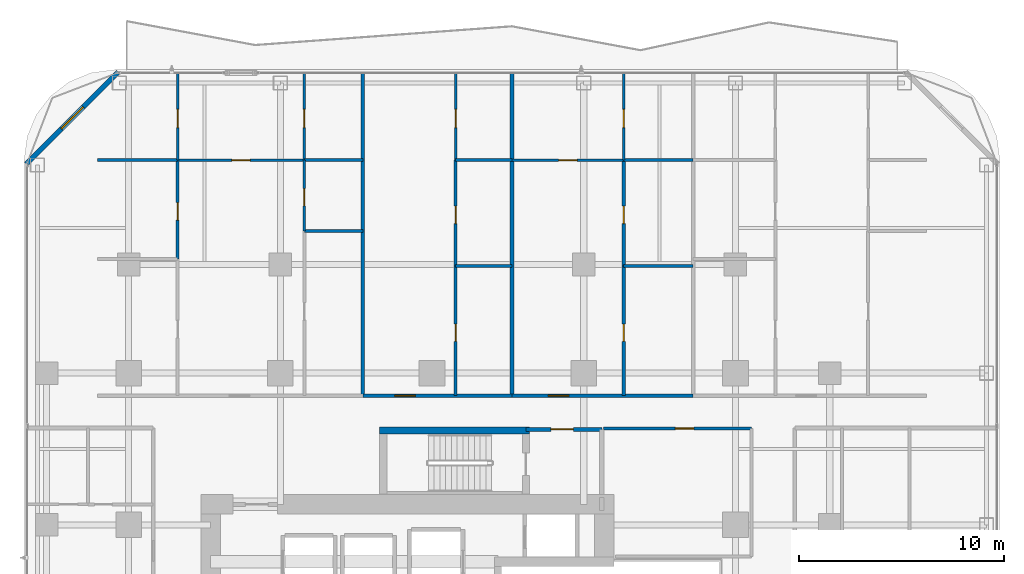
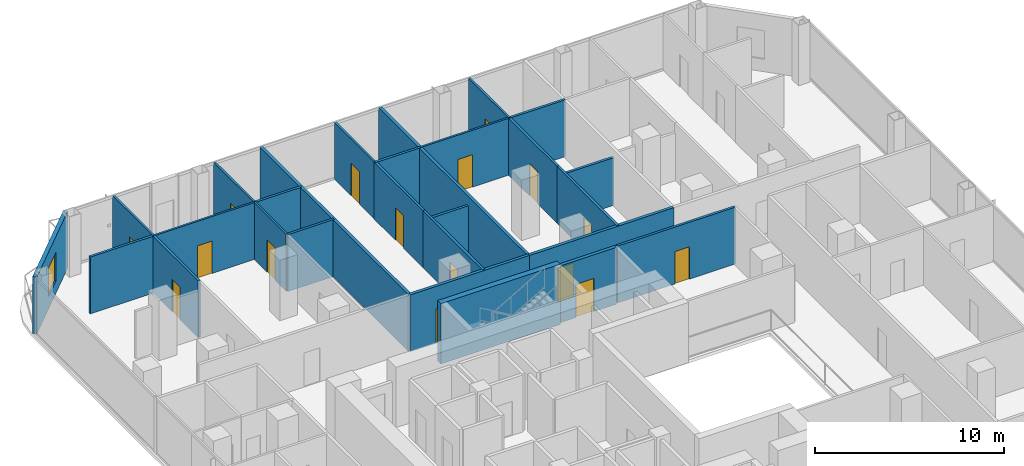
# One storey, part 22 of 30: 27 walls, 16 doors, 1 window, 17 openings.
"""IFC4 building model written with IfcOpenShell, lengths in metres."""

from ifc_helpers import new_model, si_unit, direction, frame, frame_2d, origin, place, context, subcontext, project, spatial, rectangle, extrude, material, layer, layer_set, type_object, element, fill, save


model = new_model("IFC4")

# Units and contexts
model_context = context("Model", 3, precision=1e-05, world=origin(), true_north=direction((0.0, 1.0)))
body_context = subcontext(model_context, "Body", "Model", "MODEL_VIEW")
ifc_project = project(units=[si_unit("LENGTHUNIT", "METRE"), si_unit("AREAUNIT", "SQUARE_METRE"), si_unit("VOLUMEUNIT", "CUBIC_METRE"), si_unit("PLANEANGLEUNIT", "RADIAN"), si_unit("MASSUNIT", "GRAM", prefix="KILO")], contexts=[model_context])

# Site, building, storey
site_placement = place(None, origin())
site = spatial("IfcSite", under=ifc_project, at=site_placement, CompositionType="ELEMENT")
building_placement = place(site_placement, origin())
building = spatial("IfcBuilding", under=site, at=building_placement, Name="Khorvyn Point Tower", CompositionType="ELEMENT")
storey_placement = place(building_placement, frame((0.0, 0.0, 117.300048828125)))
storey = spatial("IfcBuildingStorey", under=building, at=storey_placement, Name="L29", CompositionType="ELEMENT", Elevation=117.300048828125)

# Wall, opening, door
ifc_material_1 = material(Name="Double acoustic gypsum on twin steel stud", Category="steel")
ifc_layer_1 = layer(ifc_material_1, 0.179931640625)
ifc_layer_set_1 = layer_set([ifc_layer_1], Name="Acoustic Double-Stud Apartment Demising Wall 180")
wall_type_1 = type_object("IfcWallType", Name="Acoustic Double-Stud Apartment Demising Wall 180", PredefinedType="PARTITIONING", material=ifc_layer_set_1)
wall_1_placement = place(storey_placement, frame((-3.37890625, 13.699951171875, 0.0), z_axis=(0.0, 0.0, 1.0), x_axis=(1.0, 0.0, 0.0)))
wall_1 = element("IfcWall", 1, at=wall_1_placement, inside=storey, type_object=wall_type_1, Name="Wall", PredefinedType="PARTITIONING", context=body_context, shape_type="SweptSolid", body=[
    extrude(rectangle(XDim=7.27880859375, YDim=0.179931640625, at=frame_2d((3.639404296875, 0.0))), origin(), (0.0, 0.0, 1.0), 3.679931640625),
])
opening_1_placement = place(wall_1_placement, frame((1.56201171875, 0.0, 0.0)))
opening_1 = element("IfcOpeningElement", 2, at=opening_1_placement, cuts=wall_1, Name="Opening ID-AP60", PredefinedType="OPENING", context=body_context, shape_type="SweptSolid", body=[
    extrude(rectangle(XDim=1.0, YDim=2.199951171875, at=frame_2d((0.5, 1.10009765625))), frame((0.0, 0.099853515625, 0.0), z_axis=(0.0, -1.0, 0.0), x_axis=(1.0, 0.0, 0.0)), (0.0, 0.0, 1.0), 0.199951171875),
])
ifc_material_2 = material(Name="Engineered hardwood fire-rated leaf", Category="wood")
door_type_1 = type_object("IfcDoorType", Name="Acoustic Solid-Core Timber Apartment Entrance Door 1000x2200", OperationType="NOTDEFINED", PredefinedType="DOOR", material=ifc_material_2)
door_1_placement = place(opening_1_placement, origin())
door_1 = element("IfcDoor", 3, at=door_1_placement, inside=storey, type_object=door_type_1, Name="Door", OperationType="SINGLE_SWING_LEFT", OverallHeight=2.199951171875, OverallWidth=1.0, PredefinedType="DOOR", context=body_context, shape_type="SweptSolid", body=[
    extrude(rectangle(XDim=1.0, YDim=2.199951171875, at=frame_2d((0.5, 1.10009765625))), frame((0.0, 0.02490234375, 0.0), z_axis=(0.0, -1.0, 0.0), x_axis=(1.0, 0.0, 0.0)), (0.0, 0.0, 1.0), 0.050048828125),
])
fill(opening_1, door_1)

wall_2_placement = place(storey_placement, frame((3.89990234375, 13.699951171875, 0.0), z_axis=(0.0, 0.0, 1.0), x_axis=(1.0, 0.0, 0.0)))
wall_2 = element("IfcWall", 4, at=wall_2_placement, inside=storey, type_object=wall_type_1, Name="Wall", PredefinedType="PARTITIONING", context=body_context, shape_type="SweptSolid", body=[
    extrude(rectangle(XDim=8.836181640625, YDim=0.179931640625, at=frame_2d((4.41796875, 0.0))), origin(), (0.0, 0.0, 1.0), 3.679931640625),
])
opening_2_placement = place(wall_2_placement, frame((1.7705078125, 0.0, 0.0)))
opening_2 = element("IfcOpeningElement", 5, at=opening_2_placement, cuts=wall_2, Name="Opening ID-AP60", PredefinedType="OPENING", context=body_context, shape_type="SweptSolid", body=[
    extrude(rectangle(XDim=1.0, YDim=2.199951171875, at=frame_2d((0.5, 1.10009765625))), frame((0.0, 0.099853515625, 0.0), z_axis=(0.0, -1.0, 0.0), x_axis=(1.0, 0.0, 0.0)), (0.0, 0.0, 1.0), 0.199951171875),
])
door_2_placement = place(opening_2_placement, origin())
door_2 = element("IfcDoor", 6, at=door_2_placement, inside=storey, type_object=door_type_1, Name="Door", OperationType="SINGLE_SWING_LEFT", OverallHeight=2.199951171875, OverallWidth=1.0, PredefinedType="DOOR", context=body_context, shape_type="SweptSolid", body=[
    extrude(rectangle(XDim=1.0, YDim=2.199951171875, at=frame_2d((0.5, 1.10009765625))), frame((0.0, 0.02490234375, 0.0), z_axis=(0.0, -1.0, 0.0), x_axis=(1.0, 0.0, 0.0)), (0.0, 0.0, 1.0), 0.050048828125),
])
fill(opening_2, door_2)

# Walls
for number, where, z_axis, x_axis, name in (
    (7, (-3.37890625, 13.699951171875, 0.0), (0.0, 0.0, 1.0), (0.0, 1.0, 0.0), "Wall"),
    (8, (3.89990234375, 13.699951171875, 0.0), (0.0, 0.0, 1.0), (0.0, 1.0, 0.0), "Wall"),
):
    element("IfcWall", number, at=place(storey_placement, frame(where, z_axis=z_axis, x_axis=x_axis)), inside=storey, type_object=wall_type_1, Name=name, PredefinedType="PARTITIONING", context=body_context, shape_type="SweptSolid", body=[
        extrude(rectangle(XDim=15.72998046875, YDim=0.179931640625, at=frame_2d((7.864990234375, 0.0))), origin(), (0.0, 0.0, 1.0), 3.679931640625),
    ])

# Wall, opening, window
ifc_material_3 = material(Name="Pale anodised aluminium rainscreen on steel stud", Category="steel")
ifc_layer_2 = layer(ifc_material_3, 0.239990234375)
ifc_layer_set_2 = layer_set([ifc_layer_2], Name="Anodised Aluminium Insulated Corner Spandrel Wall 240")
wall_type_2 = type_object("IfcWallType", Name="Anodised Aluminium Insulated Corner Spandrel Wall 240", PredefinedType="SOLIDWALL", material=ifc_layer_set_2)
wall_3_placement = place(storey_placement, frame((-19.79248046875, 25.007568359375, 0.0), z_axis=(0.0, 0.0, 1.0), x_axis=(0.707106781187, 0.707106781187, 0.0)))
wall_3 = element("IfcWall", 9, at=wall_3_placement, inside=storey, type_object=wall_type_2, Name="L29 Rounded Corner Wall NW", PredefinedType="SOLIDWALL", context=body_context, shape_type="SweptSolid", body=[
    extrude(rectangle(XDim=6.342529296875, YDim=0.239990234375, at=frame_2d((3.17138671875, 0.0))), origin(), (0.0, 0.0, 1.0), 3.679931640625),
])
opening_3_placement = place(wall_3_placement, frame((2.42138671875, 0.0, 0.800048828125)))
opening_3 = element("IfcOpeningElement", 10, at=opening_3_placement, cuts=wall_3, Name="Opening WN-1518", PredefinedType="OPENING", context=body_context, shape_type="SweptSolid", body=[
    extrude(rectangle(XDim=1.5, YDim=1.85009765625, at=frame_2d((0.75, 0.925048828125))), frame((0.0, 0.1298828125, 0.0), z_axis=(0.0, -1.0, 0.0), x_axis=(1.0, 0.0, 0.0)), (0.0, 0.0, 1.0), 0.260009765625),
])
ifc_material_4 = material(Name="Anodised aluminium 6063-T6 and laminated Low-E glass", Category="aluminium")
window_type = type_object("IfcWindowType", Name="Anodised Aluminium Rounded-Corner Panoramic Window 1500x1850", PartitioningType="SINGLE_PANEL", PredefinedType="WINDOW", material=ifc_material_4)
window_placement = place(opening_3_placement, origin())
window = element("IfcWindow", 11, at=window_placement, inside=storey, type_object=window_type, Name="L29 Corner Panoramic Window NW", OverallHeight=1.85009765625, OverallWidth=1.5, PartitioningType="SINGLE_PANEL", PredefinedType="WINDOW", context=body_context, shape_type="SweptSolid", body=[
    extrude(rectangle(XDim=1.5, YDim=1.85009765625, at=frame_2d((0.75, 0.925048828125))), frame((0.0, 0.030029296875, 0.0), z_axis=(0.0, -1.0, 0.0), x_axis=(1.0, 0.0, 0.0)), (0.0, 0.0, 1.0), 0.06005859375),
])
fill(opening_3, window)

# Wall, opening, door
ifc_material_5 = material(Name="Concrete C40/50", Category="concrete")
ifc_layer_3 = layer(ifc_material_5, 0.199951171875)
ifc_layer_set_3 = layer_set([ifc_layer_3], Name="Concrete C40/50 Fire-Lobby Compartment Wall 200")
wall_type_3 = type_object("IfcWallType", Name="Concrete C40/50 Fire-Lobby Compartment Wall 200", PredefinedType="SOLIDWALL", material=ifc_layer_set_3)
wall_4_placement = place(storey_placement, frame((4.580078125, 12.06005859375, 0.0), z_axis=(0.0, 0.0, 1.0), x_axis=(1.0, 0.0, 0.0)))
wall_4 = element("IfcWall", 12, at=wall_4_placement, inside=storey, type_object=wall_type_3, Name="Wall", PredefinedType="SOLIDWALL", context=body_context, shape_type="SweptSolid", body=[
    extrude(rectangle(XDim=3.699951171875, YDim=0.199951171875, at=frame_2d((1.85009765625, 0.0))), origin(), (0.0, 0.0, 1.0), 3.679931640625),
])
opening_4_placement = place(wall_4_placement, frame((1.21240234375, 0.0, 0.0)))
opening_4 = element("IfcOpeningElement", 13, at=opening_4_placement, cuts=wall_4, Name="Opening ID-FL90", PredefinedType="OPENING", context=body_context, shape_type="SweptSolid", body=[
    extrude(rectangle(XDim=1.10009765625, YDim=2.14990234375, at=frame_2d((0.550048828125, 1.074951171875))), frame((0.0, 0.10986328125, 0.0), z_axis=(0.0, -1.0, 0.0), x_axis=(1.0, 0.0, 0.0)), (0.0, 0.0, 1.0), 0.219970703125),
])
ifc_material_6 = material(Name="Galvanised powder-coated steel", Category="steel")
door_type_2 = type_object("IfcDoorType", Name="Fire-Rated Steel Lobby and Stair Door 1100x2150", OperationType="NOTDEFINED", PredefinedType="DOOR", material=ifc_material_6)
door_3_placement = place(opening_4_placement, origin())
door_3 = element("IfcDoor", 14, at=door_3_placement, inside=storey, type_object=door_type_2, Name="Door", OperationType="SINGLE_SWING_LEFT", OverallHeight=2.14990234375, OverallWidth=1.10009765625, PredefinedType="DOOR", context=body_context, shape_type="SweptSolid", body=[
    extrude(rectangle(XDim=1.10009765625, YDim=2.14990234375, at=frame_2d((0.550048828125, 1.074951171875))), frame((0.0, 0.02490234375, 0.0), z_axis=(0.0, -1.0, 0.0), x_axis=(1.0, 0.0, 0.0)), (0.0, 0.0, 1.0), 0.050048828125),
])
fill(opening_4, door_3)

# Wall
ifc_layer_4 = layer(ifc_material_5, 0.35009765625)
ifc_layer_set_4 = layer_set([ifc_layer_4], Name="Concrete C40/50 Stair Shaft Structural Wall 350")
wall_type_4 = type_object("IfcWallType", Name="Concrete C40/50 Stair Shaft Structural Wall 350", PredefinedType="SHEAR", material=ifc_layer_set_4)
wall_5_placement = place(storey_placement, frame((-2.554931640625, 12.0, 0.0), z_axis=(0.0, 0.0, 1.0), x_axis=(1.0, 0.0, 0.0)))
element("IfcWall", 15, at=wall_5_placement, inside=storey, type_object=wall_type_4, Name="L29 ST-02 North Shaft Wall", PredefinedType="SHEAR", context=body_context, shape_type="SweptSolid", body=[
    extrude(rectangle(XDim=7.309814453125, YDim=0.35009765625, at=frame_2d((3.65478515625, 0.0))), origin(), (0.0, 0.0, 1.0), 3.89990234375),
])

# Wall, opening, door
ifc_material_7 = material(Name="Gypsum plasterboard on steel stud", Category="steel")
ifc_layer_5 = layer(ifc_material_7, 0.1201171875)
ifc_layer_set_5 = layer_set([ifc_layer_5], Name="Gypsum Acoustic Stud Room Partition Wall 120")
wall_type_5 = type_object("IfcWallType", Name="Gypsum Acoustic Stud Room Partition Wall 120", PredefinedType="PARTITIONING", material=ifc_layer_set_5)
wall_6_placement = place(storey_placement, frame((-12.407958984375, 25.18994140625, 0.0), z_axis=(0.0, 0.0, 1.0), x_axis=(1.0, 0.0, 0.0)))
wall_6 = element("IfcWall", 16, at=wall_6_placement, inside=storey, type_object=wall_type_5, Name="Wall", PredefinedType="PARTITIONING", context=body_context, shape_type="SweptSolid", body=[
    extrude(rectangle(XDim=6.178955078125, YDim=0.1201171875, at=frame_2d((3.08935546875, 0.0))), origin(), (0.0, 0.0, 1.0), 3.679931640625),
])
opening_5_placement = place(wall_6_placement, frame((2.639404296875, 0.0, 0.0)))
opening_5 = element("IfcOpeningElement", 17, at=opening_5_placement, cuts=wall_6, Name="Opening ID-RM90", PredefinedType="OPENING", context=body_context, shape_type="SweptSolid", body=[
    extrude(rectangle(XDim=0.89990234375, YDim=2.10009765625, at=frame_2d((0.449951171875, 1.050048828125))), frame((0.0, 0.070068359375, 0.0), z_axis=(0.0, -1.0, 0.0), x_axis=(1.0, 0.0, 0.0)), (0.0, 0.0, 1.0), 0.14013671875),
])
ifc_material_8 = material(Name="Engineered oak veneer timber", Category="wood")
door_type_3 = type_object("IfcDoorType", Name="Flush Engineered Timber Room Door 900x2100", OperationType="NOTDEFINED", PredefinedType="DOOR", material=ifc_material_8)
door_4_placement = place(opening_5_placement, origin())
door_4 = element("IfcDoor", 18, at=door_4_placement, inside=storey, type_object=door_type_3, Name="Door", OperationType="SINGLE_SWING_RIGHT", OverallHeight=2.10009765625, OverallWidth=0.89990234375, PredefinedType="DOOR", context=body_context, shape_type="SweptSolid", body=[
    extrude(rectangle(XDim=0.89990234375, YDim=2.10009765625, at=frame_2d((0.449951171875, 1.050048828125))), frame((0.0, 0.02490234375, 0.0), z_axis=(0.0, -1.0, 0.0), x_axis=(1.0, 0.0, 0.0)), (0.0, 0.0, 1.0), 0.050048828125),
])
fill(opening_5, door_4)

wall_7_placement = place(storey_placement, frame((-12.407958984375, 25.18994140625, 0.0), z_axis=(0.0, 0.0, 1.0), x_axis=(0.0, 1.0, 0.0)))
wall_7 = element("IfcWall", 19, at=wall_7_placement, inside=storey, type_object=wall_type_5, Name="Wall", PredefinedType="PARTITIONING", context=body_context, shape_type="SweptSolid", body=[
    extrude(rectangle(XDim=4.239990234375, YDim=0.1201171875, at=frame_2d((2.1201171875, 0.0))), origin(), (0.0, 0.0, 1.0), 3.679931640625),
])
opening_6_placement = place(wall_7_placement, frame((1.581298828125, 0.0, 0.0)))
opening_6 = element("IfcOpeningElement", 20, at=opening_6_placement, cuts=wall_7, Name="Opening ID-RM90", PredefinedType="OPENING", context=body_context, shape_type="SweptSolid", body=[
    extrude(rectangle(XDim=0.89990234375, YDim=2.10009765625, at=frame_2d((0.449951171875, 1.050048828125))), frame((0.0, 0.070068359375, 0.0), z_axis=(0.0, -1.0, 0.0), x_axis=(1.0, 0.0, 0.0)), (0.0, 0.0, 1.0), 0.14013671875),
])
door_5_placement = place(opening_6_placement, origin())
door_5 = element("IfcDoor", 21, at=door_5_placement, inside=storey, type_object=door_type_3, Name="Door", OperationType="SINGLE_SWING_LEFT", OverallHeight=2.10009765625, OverallWidth=0.89990234375, PredefinedType="DOOR", context=body_context, shape_type="SweptSolid", body=[
    extrude(rectangle(XDim=0.89990234375, YDim=2.10009765625, at=frame_2d((0.449951171875, 1.050048828125))), frame((0.0, 0.02490234375, 0.0), z_axis=(0.0, -1.0, 0.0), x_axis=(1.0, 0.0, 0.0)), (0.0, 0.0, 1.0), 0.050048828125),
])
fill(opening_6, door_5)

wall_8_placement = place(storey_placement, frame((-6.22900390625, 21.742919921875, 0.0), z_axis=(0.0, 0.0, 1.0), x_axis=(0.0, 1.0, 0.0)))
wall_8 = element("IfcWall", 22, at=wall_8_placement, inside=storey, type_object=wall_type_5, Name="Wall", PredefinedType="PARTITIONING", context=body_context, shape_type="SweptSolid", body=[
    extrude(rectangle(XDim=3.447021484375, YDim=0.1201171875, at=frame_2d((1.7236328125, 0.0))), origin(), (0.0, 0.0, 1.0), 3.679931640625),
])
opening_7_placement = place(wall_8_placement, frame((1.2109375, 0.0, 0.0)))
opening_7 = element("IfcOpeningElement", 23, at=opening_7_placement, cuts=wall_8, Name="Opening ID-WC85", PredefinedType="OPENING", context=body_context, shape_type="SweptSolid", body=[
    extrude(rectangle(XDim=0.85009765625, YDim=2.10009765625, at=frame_2d((0.425048828125, 1.050048828125))), frame((0.0, 0.070068359375, 0.0), z_axis=(0.0, -1.0, 0.0), x_axis=(1.0, 0.0, 0.0)), (0.0, 0.0, 1.0), 0.14013671875),
])
ifc_material_9 = material(Name="High-pressure laminate on moisture-resistant core", Category="wood")
door_type_4 = type_object("IfcDoorType", Name="Moisture-Resistant Accessible Washroom Door 850x2100", OperationType="NOTDEFINED", PredefinedType="DOOR", material=ifc_material_9)
door_6_placement = place(opening_7_placement, origin())
door_6 = element("IfcDoor", 24, at=door_6_placement, inside=storey, type_object=door_type_4, Name="Door", OperationType="SINGLE_SWING_LEFT", OverallHeight=2.10009765625, OverallWidth=0.85009765625, PredefinedType="DOOR", context=body_context, shape_type="SweptSolid", body=[
    extrude(rectangle(XDim=0.85009765625, YDim=2.10009765625, at=frame_2d((0.425048828125, 1.050048828125))), frame((0.0, 0.02490234375, 0.0), z_axis=(0.0, -1.0, 0.0), x_axis=(1.0, 0.0, 0.0)), (0.0, 0.0, 1.0), 0.050048828125),
])
fill(opening_7, door_6)

wall_9_placement = place(storey_placement, frame((-6.22900390625, 25.18994140625, 0.0), z_axis=(0.0, 0.0, 1.0), x_axis=(0.0, 1.0, 0.0)))
wall_9 = element("IfcWall", 25, at=wall_9_placement, inside=storey, type_object=wall_type_5, Name="Wall", PredefinedType="PARTITIONING", context=body_context, shape_type="SweptSolid", body=[
    extrude(rectangle(XDim=4.239990234375, YDim=0.1201171875, at=frame_2d((2.1201171875, 0.0))), origin(), (0.0, 0.0, 1.0), 3.679931640625),
])
opening_8_placement = place(wall_9_placement, frame((1.581298828125, 0.0, 0.0)))
opening_8 = element("IfcOpeningElement", 26, at=opening_8_placement, cuts=wall_9, Name="Opening ID-RM90", PredefinedType="OPENING", context=body_context, shape_type="SweptSolid", body=[
    extrude(rectangle(XDim=0.89990234375, YDim=2.10009765625, at=frame_2d((0.449951171875, 1.050048828125))), frame((0.0, 0.070068359375, 0.0), z_axis=(0.0, -1.0, 0.0), x_axis=(1.0, 0.0, 0.0)), (0.0, 0.0, 1.0), 0.14013671875),
])
door_7_placement = place(opening_8_placement, origin())
door_7 = element("IfcDoor", 27, at=door_7_placement, inside=storey, type_object=door_type_3, Name="Door", OperationType="SINGLE_SWING_RIGHT", OverallHeight=2.10009765625, OverallWidth=0.89990234375, PredefinedType="DOOR", context=body_context, shape_type="SweptSolid", body=[
    extrude(rectangle(XDim=0.89990234375, YDim=2.10009765625, at=frame_2d((0.449951171875, 1.050048828125))), frame((0.0, 0.02490234375, 0.0), z_axis=(0.0, -1.0, 0.0), x_axis=(1.0, 0.0, 0.0)), (0.0, 0.0, 1.0), 0.050048828125),
])
fill(opening_8, door_7)

wall_10_placement = place(storey_placement, frame((1.14990234375, 25.18994140625, 0.0), z_axis=(0.0, 0.0, 1.0), x_axis=(0.0, 1.0, 0.0)))
wall_10 = element("IfcWall", 28, at=wall_10_placement, inside=storey, type_object=wall_type_5, Name="Wall", PredefinedType="PARTITIONING", context=body_context, shape_type="SweptSolid", body=[
    extrude(rectangle(XDim=4.239990234375, YDim=0.1201171875, at=frame_2d((2.1201171875, 0.0))), origin(), (0.0, 0.0, 1.0), 3.679931640625),
])
opening_9_placement = place(wall_10_placement, frame((1.581298828125, 0.0, 0.0)))
opening_9 = element("IfcOpeningElement", 29, at=opening_9_placement, cuts=wall_10, Name="Opening ID-RM90", PredefinedType="OPENING", context=body_context, shape_type="SweptSolid", body=[
    extrude(rectangle(XDim=0.89990234375, YDim=2.10009765625, at=frame_2d((0.449951171875, 1.050048828125))), frame((0.0, 0.070068359375, 0.0), z_axis=(0.0, -1.0, 0.0), x_axis=(1.0, 0.0, 0.0)), (0.0, 0.0, 1.0), 0.14013671875),
])
door_8_placement = place(opening_9_placement, origin())
door_8 = element("IfcDoor", 30, at=door_8_placement, inside=storey, type_object=door_type_3, Name="Door", OperationType="SINGLE_SWING_RIGHT", OverallHeight=2.10009765625, OverallWidth=0.89990234375, PredefinedType="DOOR", context=body_context, shape_type="SweptSolid", body=[
    extrude(rectangle(XDim=0.89990234375, YDim=2.10009765625, at=frame_2d((0.449951171875, 1.050048828125))), frame((0.0, 0.02490234375, 0.0), z_axis=(0.0, -1.0, 0.0), x_axis=(1.0, 0.0, 0.0)), (0.0, 0.0, 1.0), 0.050048828125),
])
fill(opening_9, door_8)

wall_11_placement = place(storey_placement, frame((3.89990234375, 25.18994140625, 0.0), z_axis=(0.0, 0.0, 1.0), x_axis=(1.0, 0.0, 0.0)))
wall_11 = element("IfcWall", 31, at=wall_11_placement, inside=storey, type_object=wall_type_5, Name="Wall", PredefinedType="PARTITIONING", context=body_context, shape_type="SweptSolid", body=[
    extrude(rectangle(XDim=5.451171875, YDim=0.1201171875, at=frame_2d((2.7255859375, 0.0))), origin(), (0.0, 0.0, 1.0), 3.679931640625),
])
opening_10_placement = place(wall_11_placement, frame((2.275390625, 0.0, 0.0)))
opening_10 = element("IfcOpeningElement", 32, at=opening_10_placement, cuts=wall_11, Name="Opening ID-RM90", PredefinedType="OPENING", context=body_context, shape_type="SweptSolid", body=[
    extrude(rectangle(XDim=0.89990234375, YDim=2.10009765625, at=frame_2d((0.449951171875, 1.050048828125))), frame((0.0, 0.070068359375, 0.0), z_axis=(0.0, -1.0, 0.0), x_axis=(1.0, 0.0, 0.0)), (0.0, 0.0, 1.0), 0.14013671875),
])
door_9_placement = place(opening_10_placement, origin())
door_9 = element("IfcDoor", 33, at=door_9_placement, inside=storey, type_object=door_type_3, Name="Door", OperationType="SINGLE_SWING_RIGHT", OverallHeight=2.10009765625, OverallWidth=0.89990234375, PredefinedType="DOOR", context=body_context, shape_type="SweptSolid", body=[
    extrude(rectangle(XDim=0.89990234375, YDim=2.10009765625, at=frame_2d((0.449951171875, 1.050048828125))), frame((0.0, 0.02490234375, 0.0), z_axis=(0.0, -1.0, 0.0), x_axis=(1.0, 0.0, 0.0)), (0.0, 0.0, 1.0), 0.050048828125),
])
fill(opening_10, door_9)

wall_12_placement = place(storey_placement, frame((9.35107421875, 25.18994140625, 0.0), z_axis=(0.0, 0.0, 1.0), x_axis=(0.0, 1.0, 0.0)))
wall_12 = element("IfcWall", 34, at=wall_12_placement, inside=storey, type_object=wall_type_5, Name="Wall", PredefinedType="PARTITIONING", context=body_context, shape_type="SweptSolid", body=[
    extrude(rectangle(XDim=4.239990234375, YDim=0.1201171875, at=frame_2d((2.1201171875, 0.0))), origin(), (0.0, 0.0, 1.0), 3.679931640625),
])
opening_11_placement = place(wall_12_placement, frame((1.581298828125, 0.0, 0.0)))
opening_11 = element("IfcOpeningElement", 35, at=opening_11_placement, cuts=wall_12, Name="Opening ID-RM90", PredefinedType="OPENING", context=body_context, shape_type="SweptSolid", body=[
    extrude(rectangle(XDim=0.89990234375, YDim=2.10009765625, at=frame_2d((0.449951171875, 1.050048828125))), frame((0.0, 0.070068359375, 0.0), z_axis=(0.0, -1.0, 0.0), x_axis=(1.0, 0.0, 0.0)), (0.0, 0.0, 1.0), 0.14013671875),
])
door_10_placement = place(opening_11_placement, origin())
door_10 = element("IfcDoor", 36, at=door_10_placement, inside=storey, type_object=door_type_3, Name="Door", OperationType="SINGLE_SWING_LEFT", OverallHeight=2.10009765625, OverallWidth=0.89990234375, PredefinedType="DOOR", context=body_context, shape_type="SweptSolid", body=[
    extrude(rectangle(XDim=0.89990234375, YDim=2.10009765625, at=frame_2d((0.449951171875, 1.050048828125))), frame((0.0, 0.02490234375, 0.0), z_axis=(0.0, -1.0, 0.0), x_axis=(1.0, 0.0, 0.0)), (0.0, 0.0, 1.0), 0.050048828125),
])
fill(opening_11, door_10)

ifc_material_10 = material(Name="Moisture-resistant gypsum and cement board", Category="gypsum")
ifc_layer_6 = layer(ifc_material_10, 0.14990234375)
ifc_layer_set_6 = layer_set([ifc_layer_6], Name="Moisture-Resistant Wet-Room Partition Wall 150")
wall_type_6 = type_object("IfcWallType", Name="Moisture-Resistant Wet-Room Partition Wall 150", PredefinedType="PARTITIONING", material=ifc_layer_set_6)
wall_13_placement = place(storey_placement, frame((8.360107421875, 12.10009765625, 0.0), z_axis=(0.0, 0.0, 1.0), x_axis=(1.0, 0.0, 0.0)))
wall_13 = element("IfcWall", 37, at=wall_13_placement, inside=storey, type_object=wall_type_6, Name="Wall", PredefinedType="PARTITIONING", context=body_context, shape_type="SweptSolid", body=[
    extrude(rectangle(XDim=7.219970703125, YDim=0.14990234375, at=frame_2d((3.60986328125, 0.0))), origin(), (0.0, 0.0, 1.0), 3.679931640625),
])
opening_12_placement = place(wall_13_placement, frame((3.512939453125, 0.0, 0.0)))
opening_12 = element("IfcOpeningElement", 38, at=opening_12_placement, cuts=wall_13, Name="Opening ID-RM90", PredefinedType="OPENING", context=body_context, shape_type="SweptSolid", body=[
    extrude(rectangle(XDim=0.89990234375, YDim=2.10009765625, at=frame_2d((0.449951171875, 1.050048828125))), frame((0.0, 0.0849609375, 0.0), z_axis=(0.0, -1.0, 0.0), x_axis=(1.0, 0.0, 0.0)), (0.0, 0.0, 1.0), 0.169921875),
])
door_11_placement = place(opening_12_placement, origin())
door_11 = element("IfcDoor", 39, at=door_11_placement, inside=storey, type_object=door_type_3, Name="Door", OperationType="SINGLE_SWING_RIGHT", OverallHeight=2.10009765625, OverallWidth=0.89990234375, PredefinedType="DOOR", context=body_context, shape_type="SweptSolid", body=[
    extrude(rectangle(XDim=0.89990234375, YDim=2.10009765625, at=frame_2d((0.449951171875, 1.050048828125))), frame((0.0, 0.02490234375, 0.0), z_axis=(0.0, -1.0, 0.0), x_axis=(1.0, 0.0, 0.0)), (0.0, 0.0, 1.0), 0.050048828125),
])
fill(opening_12, door_11)

wall_14_placement = place(storey_placement, frame((-12.407958984375, 20.364013671875, 0.0), z_axis=(0.0, 0.0, 1.0), x_axis=(0.0, 1.0, 0.0)))
wall_14 = element("IfcWall", 40, at=wall_14_placement, inside=storey, type_object=wall_type_6, Name="Wall", PredefinedType="PARTITIONING", context=body_context, shape_type="SweptSolid", body=[
    extrude(rectangle(XDim=4.825927734375, YDim=0.14990234375, at=frame_2d((2.4130859375, 0.0))), origin(), (0.0, 0.0, 1.0), 3.679931640625),
])
opening_13_placement = place(wall_14_placement, frame((1.90087890625, 0.0, 0.0)))
opening_13 = element("IfcOpeningElement", 41, at=opening_13_placement, cuts=wall_14, Name="Opening ID-WC85", PredefinedType="OPENING", context=body_context, shape_type="SweptSolid", body=[
    extrude(rectangle(XDim=0.85009765625, YDim=2.10009765625, at=frame_2d((0.425048828125, 1.050048828125))), frame((0.0, 0.0849609375, 0.0), z_axis=(0.0, -1.0, 0.0), x_axis=(1.0, 0.0, 0.0)), (0.0, 0.0, 1.0), 0.169921875),
])
door_12_placement = place(opening_13_placement, origin())
door_12 = element("IfcDoor", 42, at=door_12_placement, inside=storey, type_object=door_type_4, Name="Door", OperationType="SINGLE_SWING_RIGHT", OverallHeight=2.10009765625, OverallWidth=0.85009765625, PredefinedType="DOOR", context=body_context, shape_type="SweptSolid", body=[
    extrude(rectangle(XDim=0.85009765625, YDim=2.10009765625, at=frame_2d((0.425048828125, 1.050048828125))), frame((0.0, 0.02490234375, 0.0), z_axis=(0.0, -1.0, 0.0), x_axis=(1.0, 0.0, 0.0)), (0.0, 0.0, 1.0), 0.050048828125),
])
fill(opening_13, door_12)

wall_15_placement = place(storey_placement, frame((1.14990234375, 13.699951171875, 0.0), z_axis=(0.0, 0.0, 1.0), x_axis=(0.0, 1.0, 0.0)))
wall_15 = element("IfcWall", 43, at=wall_15_placement, inside=storey, type_object=wall_type_6, Name="Wall", PredefinedType="PARTITIONING", context=body_context, shape_type="SweptSolid", body=[
    extrude(rectangle(XDim=6.320068359375, YDim=0.14990234375, at=frame_2d((3.16015625, 0.0))), origin(), (0.0, 0.0, 1.0), 3.679931640625),
])
opening_14_placement = place(wall_15_placement, frame((2.646240234375, 0.0, 0.0)))
opening_14 = element("IfcOpeningElement", 44, at=opening_14_placement, cuts=wall_15, Name="Opening ID-WC85", PredefinedType="OPENING", context=body_context, shape_type="SweptSolid", body=[
    extrude(rectangle(XDim=0.85009765625, YDim=2.10009765625, at=frame_2d((0.425048828125, 1.050048828125))), frame((0.0, 0.0849609375, 0.0), z_axis=(0.0, -1.0, 0.0), x_axis=(1.0, 0.0, 0.0)), (0.0, 0.0, 1.0), 0.169921875),
])
door_13_placement = place(opening_14_placement, origin())
door_13 = element("IfcDoor", 45, at=door_13_placement, inside=storey, type_object=door_type_4, Name="Door", OperationType="SINGLE_SWING_RIGHT", OverallHeight=2.10009765625, OverallWidth=0.85009765625, PredefinedType="DOOR", context=body_context, shape_type="SweptSolid", body=[
    extrude(rectangle(XDim=0.85009765625, YDim=2.10009765625, at=frame_2d((0.425048828125, 1.050048828125))), frame((0.0, 0.02490234375, 0.0), z_axis=(0.0, -1.0, 0.0), x_axis=(1.0, 0.0, 0.0)), (0.0, 0.0, 1.0), 0.050048828125),
])
fill(opening_14, door_13)

wall_16_placement = place(storey_placement, frame((1.14990234375, 20.02001953125, 0.0), z_axis=(0.0, 0.0, 1.0), x_axis=(0.0, 1.0, 0.0)))
wall_16 = element("IfcWall", 46, at=wall_16_placement, inside=storey, type_object=wall_type_6, Name="Wall", PredefinedType="PARTITIONING", context=body_context, shape_type="SweptSolid", body=[
    extrude(rectangle(XDim=5.169921875, YDim=0.14990234375, at=frame_2d((2.5849609375, 0.0))), origin(), (0.0, 0.0, 1.0), 3.679931640625),
])
opening_15_placement = place(wall_16_placement, frame((2.072998046875, 0.0, 0.0)))
opening_15 = element("IfcOpeningElement", 47, at=opening_15_placement, cuts=wall_16, Name="Opening ID-WC85", PredefinedType="OPENING", context=body_context, shape_type="SweptSolid", body=[
    extrude(rectangle(XDim=0.85009765625, YDim=2.10009765625, at=frame_2d((0.425048828125, 1.050048828125))), frame((0.0, 0.0849609375, 0.0), z_axis=(0.0, -1.0, 0.0), x_axis=(1.0, 0.0, 0.0)), (0.0, 0.0, 1.0), 0.169921875),
])
door_14_placement = place(opening_15_placement, origin())
door_14 = element("IfcDoor", 48, at=door_14_placement, inside=storey, type_object=door_type_4, Name="Door", OperationType="SINGLE_SWING_LEFT", OverallHeight=2.10009765625, OverallWidth=0.85009765625, PredefinedType="DOOR", context=body_context, shape_type="SweptSolid", body=[
    extrude(rectangle(XDim=0.85009765625, YDim=2.10009765625, at=frame_2d((0.425048828125, 1.050048828125))), frame((0.0, 0.02490234375, 0.0), z_axis=(0.0, -1.0, 0.0), x_axis=(1.0, 0.0, 0.0)), (0.0, 0.0, 1.0), 0.050048828125),
])
fill(opening_15, door_14)

wall_17_placement = place(storey_placement, frame((9.35107421875, 13.699951171875, 0.0), z_axis=(0.0, 0.0, 1.0), x_axis=(0.0, 1.0, 0.0)))
wall_17 = element("IfcWall", 49, at=wall_17_placement, inside=storey, type_object=wall_type_6, Name="Wall", PredefinedType="PARTITIONING", context=body_context, shape_type="SweptSolid", body=[
    extrude(rectangle(XDim=6.320068359375, YDim=0.14990234375, at=frame_2d((3.16015625, 0.0))), origin(), (0.0, 0.0, 1.0), 3.679931640625),
])
opening_16_placement = place(wall_17_placement, frame((2.646240234375, 0.0, 0.0)))
opening_16 = element("IfcOpeningElement", 50, at=opening_16_placement, cuts=wall_17, Name="Opening ID-WC85", PredefinedType="OPENING", context=body_context, shape_type="SweptSolid", body=[
    extrude(rectangle(XDim=0.85009765625, YDim=2.10009765625, at=frame_2d((0.425048828125, 1.050048828125))), frame((0.0, 0.0849609375, 0.0), z_axis=(0.0, -1.0, 0.0), x_axis=(1.0, 0.0, 0.0)), (0.0, 0.0, 1.0), 0.169921875),
])
door_15_placement = place(opening_16_placement, origin())
door_15 = element("IfcDoor", 51, at=door_15_placement, inside=storey, type_object=door_type_4, Name="Door", OperationType="SINGLE_SWING_LEFT", OverallHeight=2.10009765625, OverallWidth=0.85009765625, PredefinedType="DOOR", context=body_context, shape_type="SweptSolid", body=[
    extrude(rectangle(XDim=0.85009765625, YDim=2.10009765625, at=frame_2d((0.425048828125, 1.050048828125))), frame((0.0, 0.02490234375, 0.0), z_axis=(0.0, -1.0, 0.0), x_axis=(1.0, 0.0, 0.0)), (0.0, 0.0, 1.0), 0.050048828125),
])
fill(opening_16, door_15)

wall_18_placement = place(storey_placement, frame((9.35107421875, 20.02001953125, 0.0), z_axis=(0.0, 0.0, 1.0), x_axis=(0.0, 1.0, 0.0)))
wall_18 = element("IfcWall", 52, at=wall_18_placement, inside=storey, type_object=wall_type_6, Name="Wall", PredefinedType="PARTITIONING", context=body_context, shape_type="SweptSolid", body=[
    extrude(rectangle(XDim=5.169921875, YDim=0.14990234375, at=frame_2d((2.5849609375, 0.0))), origin(), (0.0, 0.0, 1.0), 3.679931640625),
])
opening_17_placement = place(wall_18_placement, frame((2.072998046875, 0.0, 0.0)))
opening_17 = element("IfcOpeningElement", 53, at=opening_17_placement, cuts=wall_18, Name="Opening ID-WC85", PredefinedType="OPENING", context=body_context, shape_type="SweptSolid", body=[
    extrude(rectangle(XDim=0.85009765625, YDim=2.10009765625, at=frame_2d((0.425048828125, 1.050048828125))), frame((0.0, 0.0849609375, 0.0), z_axis=(0.0, -1.0, 0.0), x_axis=(1.0, 0.0, 0.0)), (0.0, 0.0, 1.0), 0.169921875),
])
door_16_placement = place(opening_17_placement, origin())
door_16 = element("IfcDoor", 54, at=door_16_placement, inside=storey, type_object=door_type_4, Name="Door", OperationType="SINGLE_SWING_RIGHT", OverallHeight=2.10009765625, OverallWidth=0.85009765625, PredefinedType="DOOR", context=body_context, shape_type="SweptSolid", body=[
    extrude(rectangle(XDim=0.85009765625, YDim=2.10009765625, at=frame_2d((0.425048828125, 1.050048828125))), frame((0.0, 0.02490234375, 0.0), z_axis=(0.0, -1.0, 0.0), x_axis=(1.0, 0.0, 0.0)), (0.0, 0.0, 1.0), 0.050048828125),
])
fill(opening_17, door_16)

# Walls
wall_19_placement = place(storey_placement, frame((-16.320068359375, 25.18994140625, 0.0), z_axis=(0.0, 0.0, 1.0), x_axis=(1.0, 0.0, 0.0)))
element("IfcWall", 55, at=wall_19_placement, inside=storey, type_object=wall_type_6, Name="Wall", PredefinedType="PARTITIONING", context=body_context, shape_type="SweptSolid", body=[
    extrude(rectangle(XDim=3.912109375, YDim=0.14990234375, at=frame_2d((1.9560546875, 0.0))), origin(), (0.0, 0.0, 1.0), 3.679931640625),
])
for number, where, z_axis, x_axis, name in (
    (56, (-6.22900390625, 21.742919921875, 0.0), (0.0, 0.0, 1.0), (1.0, 0.0, 0.0), "Wall"),
    (57, (-6.22900390625, 25.18994140625, 0.0), (0.0, 0.0, 1.0), (1.0, 0.0, 0.0), "Wall"),
):
    element("IfcWall", number, at=place(storey_placement, frame(where, z_axis=z_axis, x_axis=x_axis)), inside=storey, type_object=wall_type_6, Name=name, PredefinedType="PARTITIONING", context=body_context, shape_type="SweptSolid", body=[
        extrude(rectangle(XDim=2.85009765625, YDim=0.14990234375, at=frame_2d((1.425048828125, 0.0))), origin(), (0.0, 0.0, 1.0), 3.679931640625),
    ])
wall_20_placement = place(storey_placement, frame((1.14990234375, 20.02001953125, 0.0), z_axis=(0.0, 0.0, 1.0), x_axis=(1.0, 0.0, 0.0)))
element("IfcWall", 58, at=wall_20_placement, inside=storey, type_object=wall_type_6, Name="Wall", PredefinedType="PARTITIONING", context=body_context, shape_type="SweptSolid", body=[
    extrude(rectangle(XDim=2.75, YDim=0.14990234375, at=frame_2d((1.375, 0.0))), origin(), (0.0, 0.0, 1.0), 3.08203125),
])
wall_21_placement = place(storey_placement, frame((1.14990234375, 25.18994140625, 0.0), z_axis=(0.0, 0.0, 1.0), x_axis=(1.0, 0.0, 0.0)))
element("IfcWall", 59, at=wall_21_placement, inside=storey, type_object=wall_type_6, Name="Wall", PredefinedType="PARTITIONING", context=body_context, shape_type="SweptSolid", body=[
    extrude(rectangle(XDim=2.75, YDim=0.14990234375, at=frame_2d((1.375, 0.0))), origin(), (0.0, 0.0, 1.0), 3.679931640625),
])
wall_22_placement = place(storey_placement, frame((9.35107421875, 20.02001953125, 0.0), z_axis=(0.0, 0.0, 1.0), x_axis=(1.0, 0.0, 0.0)))
element("IfcWall", 60, at=wall_22_placement, inside=storey, type_object=wall_type_6, Name="Wall", PredefinedType="PARTITIONING", context=body_context, shape_type="SweptSolid", body=[
    extrude(rectangle(XDim=3.385009765625, YDim=0.14990234375, at=frame_2d((1.6923828125, 0.0))), origin(), (0.0, 0.0, 1.0), 3.08203125),
])
wall_23_placement = place(storey_placement, frame((9.35107421875, 25.18994140625, 0.0), z_axis=(0.0, 0.0, 1.0), x_axis=(1.0, 0.0, 0.0)))
element("IfcWall", 61, at=wall_23_placement, inside=storey, type_object=wall_type_6, Name="Wall", PredefinedType="PARTITIONING", context=body_context, shape_type="SweptSolid", body=[
    extrude(rectangle(XDim=3.385009765625, YDim=0.14990234375, at=frame_2d((1.6923828125, 0.0))), origin(), (0.0, 0.0, 1.0), 3.679931640625),
])

save(model, "model.ifc")
